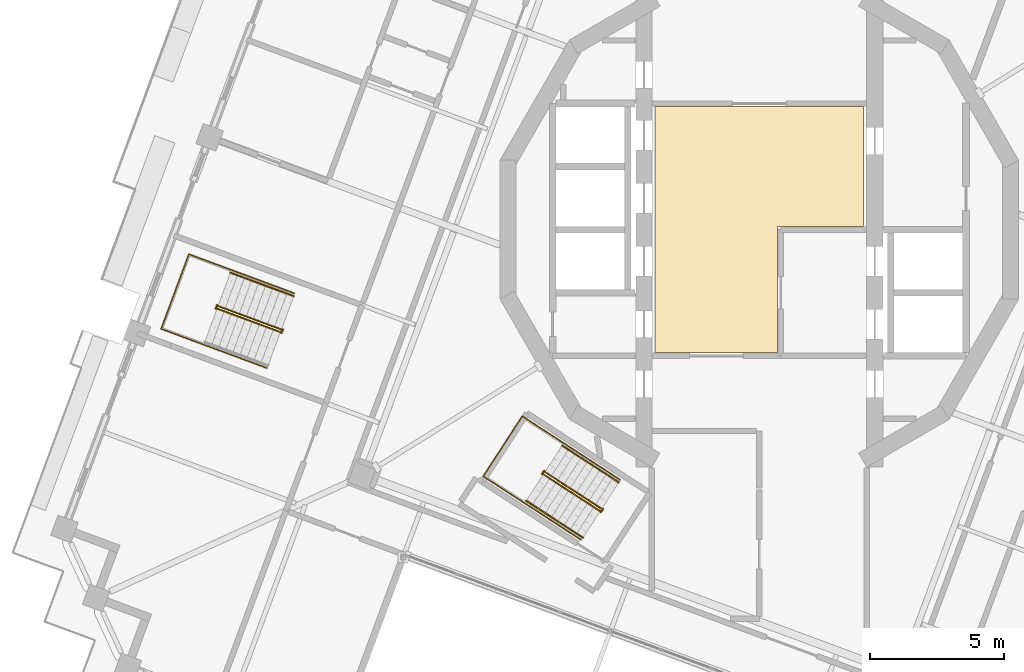
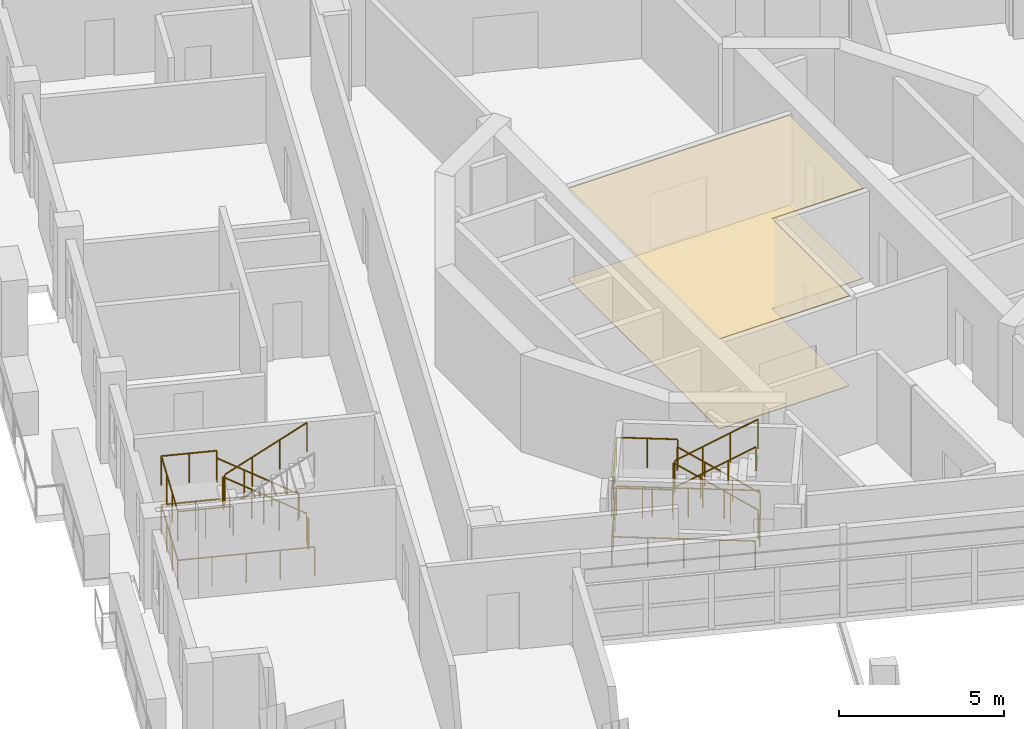
# One storey, part 14 of 19: 13 railings, 2 coverings.
"""IFC4 building model written with IfcOpenShell, lengths in metres."""

from ifc_helpers import new_model, si_unit, direction, frame, origin, origin_2d, place, context, subcontext, project, spatial, polyline, circle, outline, extrude, material, layer, layer_set, type_object, element, save


model = new_model("IFC4")

# Units and contexts
model_context = context("Model", 3, precision=1e-05, world=origin(), true_north=direction((0.0, 1.0)))
body_context = subcontext(model_context, "Body", "Model", "MODEL_VIEW")
ifc_project = project(units=[si_unit("LENGTHUNIT", "METRE"), si_unit("AREAUNIT", "SQUARE_METRE"), si_unit("VOLUMEUNIT", "CUBIC_METRE"), si_unit("PLANEANGLEUNIT", "RADIAN"), si_unit("MASSUNIT", "GRAM", prefix="KILO")], contexts=[model_context])

# Site, building, storey
site_placement = place(None, origin())
site = spatial("IfcSite", under=ifc_project, at=site_placement, CompositionType="ELEMENT")
building_placement = place(site_placement, origin())
building = spatial("IfcBuilding", under=site, at=building_placement, Name="Cantera Rosa Tower", CompositionType="ELEMENT")
storey_placement = place(building_placement, frame((0.0, 0.0, 320.5)))
storey = spatial("IfcBuildingStorey", under=building, at=storey_placement, Name="L71", CompositionType="ELEMENT", Elevation=320.5)

# Railings
ifc_material_1 = material(Name="Steel S355J2 (EN 10025-2)", Category="steel")
railing_type_1 = type_object("IfcRailingType", Name="STAIR GUARD 1100", PredefinedType="GUARDRAIL", material=ifc_material_1)
railing_1_placement = place(storey_placement, frame((-17.802490234375, -3.721923828125, 0.179931640625)))
element("IfcRailing", 1, at=railing_1_placement, inside=storey, type_object=railing_type_1, Name="L71 ST-63 stair guard 1", PredefinedType="GUARDRAIL", context=body_context, shape_type="SweptSolid", body=[
    extrude(circle(Radius=0.02392578125, at=origin_2d()), frame((0.0, 0.0, 1.076171875), z_axis=(-0.788747577403, 0.292306804437, 0.540771662738), x_axis=(-0.347500508527, -0.937679794265, 0.0)), (0.0, 0.0, 1.0), 2.995849609375),
    extrude(circle(Radius=0.02392578125, at=origin_2d()), frame((-2.363037109375, 0.875732421875, 2.6962890625), z_axis=(-0.671593765389, 0.740919573429, 0.0), x_axis=(-0.740919573429, -0.671593765389, 0.0)), (0.0, 0.0, 1.0), 0.056396484375),
    extrude(circle(Radius=0.02392578125, at=origin_2d()), frame((-2.40087890625, 0.91748046875, 2.6962890625), z_axis=(-0.348268249601, -0.937394914814, 0.0), x_axis=(0.937394914814, -0.348268249601, 0.0)), (0.0, 0.0, 1.0), 0.14990234375),
    extrude(circle(Radius=0.02099609375, at=origin_2d()), origin(), (0.0, 0.0, 1.0), 1.052001953125),
    extrude(circle(Radius=0.02099609375, at=origin_2d()), frame((-0.78759765625, 0.2919921875, 0.5400390625)), (0.0, 0.0, 1.0), 1.052001953125),
    extrude(circle(Radius=0.02099609375, at=origin_2d()), frame((-1.575439453125, 0.583740234375, 1.080078125)), (0.0, 0.0, 1.0), 1.052001953125),
    extrude(circle(Radius=0.02099609375, at=origin_2d()), frame((-2.363037109375, 0.875732421875, 1.6201171875)), (0.0, 0.0, 1.0), 1.052001953125),
    extrude(circle(Radius=0.02099609375, at=origin_2d()), frame((-2.40087890625, 0.91748046875, 1.6201171875)), (0.0, 0.0, 1.0), 1.052001953125),
    extrude(circle(Radius=0.02099609375, at=origin_2d()), frame((-2.453125, 0.77685546875, 1.6201171875)), (0.0, 0.0, 1.0), 1.052001953125),
])
railing_2_placement = place(storey_placement, frame((-20.19970703125, -2.93798828125, 1.97998046875)))
element("IfcRailing", 2, at=railing_2_placement, inside=storey, type_object=railing_type_1, Name="L71 ST-63 stair guard 2", PredefinedType="GUARDRAIL", context=body_context, shape_type="SweptSolid", body=[
    extrude(circle(Radius=0.02392578125, at=origin_2d()), frame((0.0, 0.0, 1.076171875), z_axis=(0.788747577403, -0.292306804437, 0.540771662738), x_axis=(0.347500508527, 0.937679794265, 0.0)), (0.0, 0.0, 1.0), 2.995849609375),
    extrude(circle(Radius=0.02099609375, at=origin_2d()), origin(), (0.0, 0.0, 1.0), 1.052001953125),
    extrude(circle(Radius=0.02099609375, at=origin_2d()), frame((0.78759765625, -0.2919921875, 0.5400390625)), (0.0, 0.0, 1.0), 1.052001953125),
    extrude(circle(Radius=0.02099609375, at=origin_2d()), frame((1.575439453125, -0.583740234375, 1.080078125)), (0.0, 0.0, 1.0), 1.052001953125),
    extrude(circle(Radius=0.02099609375, at=origin_2d()), frame((2.363037109375, -0.875732421875, 1.6201171875)), (0.0, 0.0, 1.0), 1.052001953125),
])
railing_3_placement = place(storey_placement, frame((-17.74658203125, -3.71484375, 0.0)))
element("IfcRailing", 3, at=railing_3_placement, inside=storey, type_object=railing_type_1, Name="L71 ST-63 stair guard 3", PredefinedType="GUARDRAIL", context=body_context, shape_type="SweptSolid", body=[
    extrude(circle(Radius=0.02392578125, at=origin_2d()), frame((0.0, 0.0, 1.076171875), z_axis=(-0.348268249601, -0.937394914814, 0.0), x_axis=(0.937394914814, -0.348268249601, 0.0)), (0.0, 0.0, 1.0), 0.14990234375),
    extrude(circle(Radius=0.02099609375, at=origin_2d()), origin(), (0.0, 0.0, 1.0), 1.052001953125),
    extrude(circle(Radius=0.02099609375, at=origin_2d()), frame((-0.05224609375, -0.140625, 0.0)), (0.0, 0.0, 1.0), 1.052001953125),
])
railing_4_placement = place(storey_placement, frame((-17.31494140625, -2.37109375, 0.0)))
element("IfcRailing", 4, at=railing_4_placement, inside=storey, type_object=railing_type_1, Name="L71 ST-63 stair guard 4", PredefinedType="GUARDRAIL", context=body_context, shape_type="SweptSolid", body=[
    extrude(circle(Radius=0.02392578125, at=origin_2d()), frame((0.0, 0.0, 1.076171875), z_axis=(-0.937682096729, 0.3474942956, 0.0), x_axis=(-0.3474942956, -0.937682096729, 0.0)), (0.0, 0.0, 1.0), 4.197998046875),
    extrude(circle(Radius=0.02392578125, at=origin_2d()), frame((-3.936279296875, 1.458740234375, 1.076171875), z_axis=(-0.347472311651, -0.937690243436, 0.0), x_axis=(0.937690243436, -0.347472311651, 0.0)), (0.0, 0.0, 1.0), 2.969970703125),
    extrude(circle(Radius=0.02392578125, at=origin_2d()), frame((-4.96826171875, -1.326171875, 1.076171875), z_axis=(0.937682096729, -0.3474942956, 0.0), x_axis=(0.3474942956, 0.937682096729, 0.0)), (0.0, 0.0, 1.0), 4.197998046875),
    extrude(circle(Radius=0.02099609375, at=origin_2d()), origin(), (0.0, 0.0, 1.0), 1.052001953125),
    extrude(circle(Radius=0.02099609375, at=origin_2d()), frame((-0.984130859375, 0.36474609375, 0.0)), (0.0, 0.0, 1.0), 1.052001953125),
    extrude(circle(Radius=0.02099609375, at=origin_2d()), frame((-1.96826171875, 0.7294921875, 0.0)), (0.0, 0.0, 1.0), 1.052001953125),
    extrude(circle(Radius=0.02099609375, at=origin_2d()), frame((-2.9521484375, 1.093994140625, 0.0)), (0.0, 0.0, 1.0), 1.052001953125),
    extrude(circle(Radius=0.02099609375, at=origin_2d()), frame((-3.936279296875, 1.458740234375, 0.0)), (0.0, 0.0, 1.0), 1.052001953125),
    extrude(circle(Radius=0.02099609375, at=origin_2d()), frame((-4.2802734375, 0.530517578125, 0.0)), (0.0, 0.0, 1.0), 1.052001953125),
    extrude(circle(Radius=0.02099609375, at=origin_2d()), frame((-4.624267578125, -0.39794921875, 0.0)), (0.0, 0.0, 1.0), 1.052001953125),
    extrude(circle(Radius=0.02099609375, at=origin_2d()), frame((-4.96826171875, -1.326171875, 0.0)), (0.0, 0.0, 1.0), 1.052001953125),
    extrude(circle(Radius=0.02099609375, at=origin_2d()), frame((-3.984130859375, -1.69091796875, 0.0)), (0.0, 0.0, 1.0), 1.052001953125),
    extrude(circle(Radius=0.02099609375, at=origin_2d()), frame((-3.0, -2.0556640625, 0.0)), (0.0, 0.0, 1.0), 1.052001953125),
    extrude(circle(Radius=0.02099609375, at=origin_2d()), frame((-2.01611328125, -2.420166015625, 0.0)), (0.0, 0.0, 1.0), 1.052001953125),
    extrude(circle(Radius=0.02099609375, at=origin_2d()), frame((-1.031982421875, -2.784912109375, 0.0)), (0.0, 0.0, 1.0), 1.052001953125),
])
railing_5_placement = place(storey_placement, frame((-19.6552734375, -1.50390625, 1.800048828125)))
element("IfcRailing", 5, at=railing_5_placement, inside=storey, type_object=railing_type_1, Name="L71 ST-63 stair guard 5", PredefinedType="GUARDRAIL", context=body_context, shape_type="SweptSolid", body=[
    extrude(circle(Radius=0.02392578125, at=origin_2d()), frame((0.0, 0.0, 1.076171875), z_axis=(-0.937660486946, 0.347552602091, 0.0), x_axis=(-0.347552602091, -0.937660486946, 0.0)), (0.0, 0.0, 1.0), 1.7021484375),
    extrude(circle(Radius=0.02392578125, at=origin_2d()), frame((-1.595947265625, 0.591552734375, 1.076171875), z_axis=(-0.347472311651, -0.937690243436, 0.0), x_axis=(0.937690243436, -0.347472311651, 0.0)), (0.0, 0.0, 1.0), 2.969970703125),
    extrude(circle(Radius=0.02392578125, at=origin_2d()), frame((-2.6279296875, -2.193359375, 1.076171875), z_axis=(0.937660486946, -0.347552602091, 0.0), x_axis=(0.347552602091, 0.937660486946, 0.0)), (0.0, 0.0, 1.0), 1.7021484375),
    extrude(circle(Radius=0.02099609375, at=origin_2d()), origin(), (0.0, 0.0, 1.0), 1.052001953125),
    extrude(circle(Radius=0.02099609375, at=origin_2d()), frame((-0.7978515625, 0.2958984375, 0.0)), (0.0, 0.0, 1.0), 1.052001953125),
    extrude(circle(Radius=0.02099609375, at=origin_2d()), frame((-1.595947265625, 0.591552734375, 0.0)), (0.0, 0.0, 1.0), 1.052001953125),
    extrude(circle(Radius=0.02099609375, at=origin_2d()), frame((-1.93994140625, -0.336669921875, 0.0)), (0.0, 0.0, 1.0), 1.052001953125),
    extrude(circle(Radius=0.02099609375, at=origin_2d()), frame((-2.283935546875, -1.26513671875, 0.0)), (0.0, 0.0, 1.0), 1.052001953125),
    extrude(circle(Radius=0.02099609375, at=origin_2d()), frame((-2.6279296875, -2.193359375, 0.0)), (0.0, 0.0, 1.0), 1.052001953125),
    extrude(circle(Radius=0.02099609375, at=origin_2d()), frame((-1.830078125, -2.4892578125, 0.0)), (0.0, 0.0, 1.0), 1.052001953125),
    extrude(circle(Radius=0.02099609375, at=origin_2d()), frame((-1.031982421875, -2.784912109375, 0.0)), (0.0, 0.0, 1.0), 1.052001953125),
])
railing_6_placement = place(storey_placement, frame((-5.873291015625, -10.403076171875, 0.179931640625)))
element("IfcRailing", 6, at=railing_6_placement, inside=storey, type_object=railing_type_1, Name="L71 ST-64 stair guard 1", PredefinedType="GUARDRAIL", context=body_context, shape_type="SweptSolid", body=[
    extrude(circle(Radius=0.02392578125, at=origin_2d()), frame((0.0, 0.0, 1.076171875), z_axis=(-0.705462015847, 0.458138784, 0.540770005448), x_axis=(-0.544644381691, -0.838667095749, 0.0)), (0.0, 0.0, 1.0), 2.995849609375),
    extrude(circle(Radius=0.02392578125, at=origin_2d()), frame((-2.113525390625, 1.37255859375, 2.6962890625), z_axis=(-0.49520304401, 0.868777270193, 0.0), x_axis=(-0.868777270193, -0.49520304401, 0.0)), (0.0, 0.0, 1.0), 0.05615234375),
    extrude(circle(Radius=0.02392578125, at=origin_2d()), frame((-2.141357421875, 1.42138671875, 2.6962890625), z_axis=(-0.544129121324, -0.839001489467, 0.0), x_axis=(0.839001489467, -0.544129121324, 0.0)), (0.0, 0.0, 1.0), 0.14990234375),
    extrude(circle(Radius=0.02099609375, at=origin_2d()), origin(), (0.0, 0.0, 1.0), 1.052001953125),
    extrude(circle(Radius=0.02099609375, at=origin_2d()), frame((-0.70458984375, 0.45751953125, 0.5400390625)), (0.0, 0.0, 1.0), 1.052001953125),
    extrude(circle(Radius=0.02099609375, at=origin_2d()), frame((-1.408935546875, 0.9150390625, 1.080078125)), (0.0, 0.0, 1.0), 1.052001953125),
    extrude(circle(Radius=0.02099609375, at=origin_2d()), frame((-2.113525390625, 1.37255859375, 1.6201171875)), (0.0, 0.0, 1.0), 1.052001953125),
    extrude(circle(Radius=0.02099609375, at=origin_2d()), frame((-2.141357421875, 1.42138671875, 1.6201171875)), (0.0, 0.0, 1.0), 1.052001953125),
    extrude(circle(Radius=0.02099609375, at=origin_2d()), frame((-2.222900390625, 1.295654296875, 1.6201171875)), (0.0, 0.0, 1.0), 1.052001953125),
])
railing_7_placement = place(storey_placement, frame((-8.040283203125, -9.11279296875, 1.97998046875)))
element("IfcRailing", 7, at=railing_7_placement, inside=storey, type_object=railing_type_1, Name="L71 ST-64 stair guard 2", PredefinedType="GUARDRAIL", context=body_context, shape_type="SweptSolid", body=[
    extrude(circle(Radius=0.02392578125, at=origin_2d()), frame((0.0, 0.0, 1.076171875), z_axis=(0.705462015847, -0.458138784, 0.540770005448), x_axis=(0.544644381691, 0.838667095749, 0.0)), (0.0, 0.0, 1.0), 2.995849609375),
    extrude(circle(Radius=0.02099609375, at=origin_2d()), origin(), (0.0, 0.0, 1.0), 1.052001953125),
    extrude(circle(Radius=0.02099609375, at=origin_2d()), frame((0.70458984375, -0.45751953125, 0.5400390625)), (0.0, 0.0, 1.0), 1.052001953125),
    extrude(circle(Radius=0.02099609375, at=origin_2d()), frame((1.408935546875, -0.9150390625, 1.080078125)), (0.0, 0.0, 1.0), 1.052001953125),
    extrude(circle(Radius=0.02099609375, at=origin_2d()), frame((2.113525390625, -1.37255859375, 1.6201171875)), (0.0, 0.0, 1.0), 1.052001953125),
])
railing_8_placement = place(storey_placement, frame((-5.8173828125, -10.408447265625, 0.0)))
element("IfcRailing", 8, at=railing_8_placement, inside=storey, type_object=railing_type_1, Name="L71 ST-64 stair guard 3", PredefinedType="GUARDRAIL", context=body_context, shape_type="SweptSolid", body=[
    extrude(circle(Radius=0.02392578125, at=origin_2d()), frame((0.0, 0.0, 1.076171875), z_axis=(-0.543386185195, -0.839482848984, 0.0), x_axis=(0.839482848984, -0.543386185195, 0.0)), (0.0, 0.0, 1.0), 0.150146484375),
    extrude(circle(Radius=0.02099609375, at=origin_2d()), origin(), (0.0, 0.0, 1.0), 1.052001953125),
    extrude(circle(Radius=0.02099609375, at=origin_2d()), frame((-0.08154296875, -0.1259765625, 0.0)), (0.0, 0.0, 1.0), 1.052001953125),
])
railing_9_placement = place(storey_placement, frame((-5.18310546875, -9.318115234375, 0.0)))
element("IfcRailing", 9, at=railing_9_placement, inside=storey, type_object=railing_type_1, Name="L71 ST-64 stair guard 4", PredefinedType="GUARDRAIL", context=body_context, shape_type="SweptSolid", body=[
    extrude(circle(Radius=0.02392578125, at=origin_2d()), frame((0.0, 0.0, 1.076171875), z_axis=(-0.838659072691, 0.544656735746, 0.0), x_axis=(-0.544656735746, -0.838659072691, 0.0)), (0.0, 0.0, 1.0), 4.347900390625),
    extrude(circle(Radius=0.02392578125, at=origin_2d()), frame((-3.646484375, 2.3681640625, 1.076171875), z_axis=(-0.544615466587, -0.838685872991, 0.0), x_axis=(0.838685872991, -0.544615466587, 0.0)), (0.0, 0.0, 1.0), 2.669921875),
    extrude(circle(Radius=0.02392578125, at=origin_2d()), frame((-5.1005859375, 0.12890625, 1.076171875), z_axis=(0.838659072691, -0.544656735746, 0.0), x_axis=(0.544656735746, 0.838659072691, 0.0)), (0.0, 0.0, 1.0), 4.347900390625),
    extrude(circle(Radius=0.02099609375, at=origin_2d()), origin(), (0.0, 0.0, 1.0), 1.052001953125),
    extrude(circle(Radius=0.02099609375, at=origin_2d()), frame((-0.91162109375, 0.592041015625, 0.0)), (0.0, 0.0, 1.0), 1.052001953125),
    extrude(circle(Radius=0.02099609375, at=origin_2d()), frame((-1.8232421875, 1.18408203125, 0.0)), (0.0, 0.0, 1.0), 1.052001953125),
    extrude(circle(Radius=0.02099609375, at=origin_2d()), frame((-2.73486328125, 1.776123046875, 0.0)), (0.0, 0.0, 1.0), 1.052001953125),
    extrude(circle(Radius=0.02099609375, at=origin_2d()), frame((-3.646484375, 2.3681640625, 0.0)), (0.0, 0.0, 1.0), 1.052001953125),
    extrude(circle(Radius=0.02099609375, at=origin_2d()), frame((-4.131103515625, 1.621826171875, 0.0)), (0.0, 0.0, 1.0), 1.052001953125),
    extrude(circle(Radius=0.02099609375, at=origin_2d()), frame((-4.615966796875, 0.875244140625, 0.0)), (0.0, 0.0, 1.0), 1.052001953125),
    extrude(circle(Radius=0.02099609375, at=origin_2d()), frame((-5.1005859375, 0.12890625, 0.0)), (0.0, 0.0, 1.0), 1.052001953125),
    extrude(circle(Radius=0.02099609375, at=origin_2d()), frame((-4.18896484375, -0.463134765625, 0.0)), (0.0, 0.0, 1.0), 1.052001953125),
    extrude(circle(Radius=0.02099609375, at=origin_2d()), frame((-3.27734375, -1.05517578125, 0.0)), (0.0, 0.0, 1.0), 1.052001953125),
    extrude(circle(Radius=0.02099609375, at=origin_2d()), frame((-2.36572265625, -1.647216796875, 0.0)), (0.0, 0.0, 1.0), 1.052001953125),
    extrude(circle(Radius=0.02099609375, at=origin_2d()), frame((-1.4541015625, -2.2392578125, 0.0)), (0.0, 0.0, 1.0), 1.052001953125),
])
railing_10_placement = place(storey_placement, frame((-7.2763671875, -7.95849609375, 1.800048828125)))
element("IfcRailing", 10, at=railing_10_placement, inside=storey, type_object=railing_type_1, Name="L71 ST-64 stair guard 5", PredefinedType="GUARDRAIL", context=body_context, shape_type="SweptSolid", body=[
    extrude(circle(Radius=0.02392578125, at=origin_2d()), frame((0.0, 0.0, 1.076171875), z_axis=(-0.838702547883, 0.544589787064, 0.0), x_axis=(-0.544589787064, -0.838702547883, 0.0)), (0.0, 0.0, 1.0), 1.85205078125),
    extrude(circle(Radius=0.02392578125, at=origin_2d()), frame((-1.55322265625, 1.008544921875, 1.076171875), z_axis=(-0.544615466587, -0.838685872991, 0.0), x_axis=(0.838685872991, -0.544615466587, 0.0)), (0.0, 0.0, 1.0), 2.669921875),
    extrude(circle(Radius=0.02392578125, at=origin_2d()), frame((-3.00732421875, -1.230712890625, 1.076171875), z_axis=(0.838702547883, -0.544589787064, 0.0), x_axis=(0.544589787064, 0.838702547883, 0.0)), (0.0, 0.0, 1.0), 1.85205078125),
    extrude(circle(Radius=0.02099609375, at=origin_2d()), origin(), (0.0, 0.0, 1.0), 1.052001953125),
    extrude(circle(Radius=0.02099609375, at=origin_2d()), frame((-0.776611328125, 0.50439453125, 0.0)), (0.0, 0.0, 1.0), 1.052001953125),
    extrude(circle(Radius=0.02099609375, at=origin_2d()), frame((-1.55322265625, 1.008544921875, 0.0)), (0.0, 0.0, 1.0), 1.052001953125),
    extrude(circle(Radius=0.02099609375, at=origin_2d()), frame((-2.037841796875, 0.26220703125, 0.0)), (0.0, 0.0, 1.0), 1.052001953125),
    extrude(circle(Radius=0.02099609375, at=origin_2d()), frame((-2.522705078125, -0.484375, 0.0)), (0.0, 0.0, 1.0), 1.052001953125),
    extrude(circle(Radius=0.02099609375, at=origin_2d()), frame((-3.00732421875, -1.230712890625, 0.0)), (0.0, 0.0, 1.0), 1.052001953125),
    extrude(circle(Radius=0.02099609375, at=origin_2d()), frame((-2.230712890625, -1.73486328125, 0.0)), (0.0, 0.0, 1.0), 1.052001953125),
    extrude(circle(Radius=0.02099609375, at=origin_2d()), frame((-1.4541015625, -2.2392578125, 0.0)), (0.0, 0.0, 1.0), 1.052001953125),
])
ifc_material_2 = material(Name="Steel S355J2 (EN 10025-2)", Category="steel")
railing_type_2 = type_object("IfcRailingType", Name="STAIR HANDRAIL 900", PredefinedType="HANDRAIL", material=ifc_material_2)
railing_11_placement = place(storey_placement, frame((-17.341796875, -2.478515625, 0.179931640625)))
element("IfcRailing", 11, at=railing_11_placement, inside=storey, type_object=railing_type_2, Name="L71 ST-63 stair handrail 1", PredefinedType="HANDRAIL", context=body_context, shape_type="SweptSolid", body=[
    extrude(circle(Radius=0.02392578125, at=origin_2d()), frame((0.0, 0.0, 0.8759765625), z_axis=(-0.788747577403, 0.292306804437, 0.540771662738), x_axis=(-0.347500508527, -0.937679794265, 0.0)), (0.0, 0.0, 1.0), 2.995849609375),
    extrude(circle(Radius=0.02099609375, at=origin_2d()), origin(), (0.0, 0.0, 1.0), 0.851806640625),
    extrude(circle(Radius=0.02099609375, at=origin_2d()), frame((-0.78759765625, 0.2919921875, 0.5400390625)), (0.0, 0.0, 1.0), 0.851806640625),
    extrude(circle(Radius=0.02099609375, at=origin_2d()), frame((-1.575439453125, 0.583740234375, 1.080078125)), (0.0, 0.0, 1.0), 0.851806640625),
    extrude(circle(Radius=0.02099609375, at=origin_2d()), frame((-2.363037109375, 0.875732421875, 1.6201171875)), (0.0, 0.0, 1.0), 0.851806640625),
])
railing_12_placement = place(storey_placement, frame((-5.23291015625, -9.416748046875, 0.179931640625)))
element("IfcRailing", 12, at=railing_12_placement, inside=storey, type_object=railing_type_2, Name="L71 ST-64 stair handrail 1", PredefinedType="HANDRAIL", context=body_context, shape_type="SweptSolid", body=[
    extrude(circle(Radius=0.02392578125, at=origin_2d()), frame((0.0, 0.0, 0.8759765625), z_axis=(-0.705488352623, 0.458074394142, 0.540790193832), x_axis=(-0.544576236413, -0.838711346492, 0.0)), (0.0, 0.0, 1.0), 2.995849609375),
    extrude(circle(Radius=0.02099609375, at=origin_2d()), origin(), (0.0, 0.0, 1.0), 0.851806640625),
    extrude(circle(Radius=0.02099609375, at=origin_2d()), frame((-0.70458984375, 0.45751953125, 0.5400390625)), (0.0, 0.0, 1.0), 0.851806640625),
    extrude(circle(Radius=0.02099609375, at=origin_2d()), frame((-1.408935546875, 0.914794921875, 1.080078125)), (0.0, 0.0, 1.0), 0.851806640625),
    extrude(circle(Radius=0.02099609375, at=origin_2d()), frame((-2.113525390625, 1.372314453125, 1.6201171875)), (0.0, 0.0, 1.0), 0.851806640625),
])
railing_13_placement = place(storey_placement, frame((-8.6806640625, -10.09912109375, 1.97998046875)))
element("IfcRailing", 13, at=railing_13_placement, inside=storey, type_object=railing_type_2, Name="L71 ST-64 stair handrail 2", PredefinedType="HANDRAIL", context=body_context, shape_type="SweptSolid", body=[
    extrude(circle(Radius=0.02392578125, at=origin_2d()), frame((0.0, 0.0, 0.8759765625), z_axis=(0.705462015847, -0.458138784, 0.540770005448), x_axis=(0.544644381691, 0.838667095749, 0.0)), (0.0, 0.0, 1.0), 2.995849609375),
    extrude(circle(Radius=0.02099609375, at=origin_2d()), origin(), (0.0, 0.0, 1.0), 0.851806640625),
    extrude(circle(Radius=0.02099609375, at=origin_2d()), frame((0.70458984375, -0.45751953125, 0.5400390625)), (0.0, 0.0, 1.0), 0.851806640625),
    extrude(circle(Radius=0.02099609375, at=origin_2d()), frame((1.408935546875, -0.9150390625, 1.080078125)), (0.0, 0.0, 1.0), 0.851806640625),
    extrude(circle(Radius=0.02099609375, at=origin_2d()), frame((2.113525390625, -1.37255859375, 1.6201171875)), (0.0, 0.0, 1.0), 0.851806640625),
])

# Coverings
ifc_material_3 = material(Name="Limestone paving", Category="masonry")
ifc_layer_1 = layer(ifc_material_3, 0.02490234375)
ifc_layer_set_1 = layer_set([ifc_layer_1], Name="STONE FLOOR FINISH 25")
covering_type_1 = type_object("IfcCoveringType", Name="STONE FLOOR FINISH 25", PredefinedType="FLOORING", material=ifc_layer_set_1)
covering_1_placement = place(storey_placement, origin())
element("IfcCovering", 14, at=covering_1_placement, inside=storey, type_object=covering_type_1, Name="STONE FLOOR FINISH L71", PredefinedType="FLOORING", context=body_context, shape_type="SweptSolid", body=[
    extrude(outline(polyline([(3.8798828125, 4.580078125), (3.8798828125, 0.1201171875), (0.679931640625, 0.1201171875), (0.679931640625, -4.580078125), (-3.8798828125, -4.580078125), (-3.8798828125, 4.580078125), (3.8798828125, 4.580078125)])), origin(), (0.0, 0.0, 1.0), 0.02490234375),
])
ifc_material_4 = material(Name="Gypsum ceiling tile")
ifc_layer_2 = layer(ifc_material_4, 0.030029296875)
ifc_layer_set_2 = layer_set([ifc_layer_2], Name="SUSPENDED CEILING 30")
covering_type_2 = type_object("IfcCoveringType", Name="SUSPENDED CEILING 30", PredefinedType="CEILING", material=ifc_layer_set_2)
covering_2_placement = place(storey_placement, frame((0.0, 0.0, 3.320068359375)))
element("IfcCovering", 15, at=covering_2_placement, inside=storey, type_object=covering_type_2, Name="SUSPENDED CEILING L71", PredefinedType="CEILING", context=body_context, shape_type="SweptSolid", body=[
    extrude(outline(polyline([(3.8798828125, 4.580078125), (3.8798828125, 0.1201171875), (0.679931640625, 0.1201171875), (0.679931640625, -4.580078125), (-3.8798828125, -4.580078125), (-3.8798828125, 4.580078125), (3.8798828125, 4.580078125)])), origin(), (0.0, 0.0, 1.0), 0.030029296875),
])

save(model, "model.ifc")
